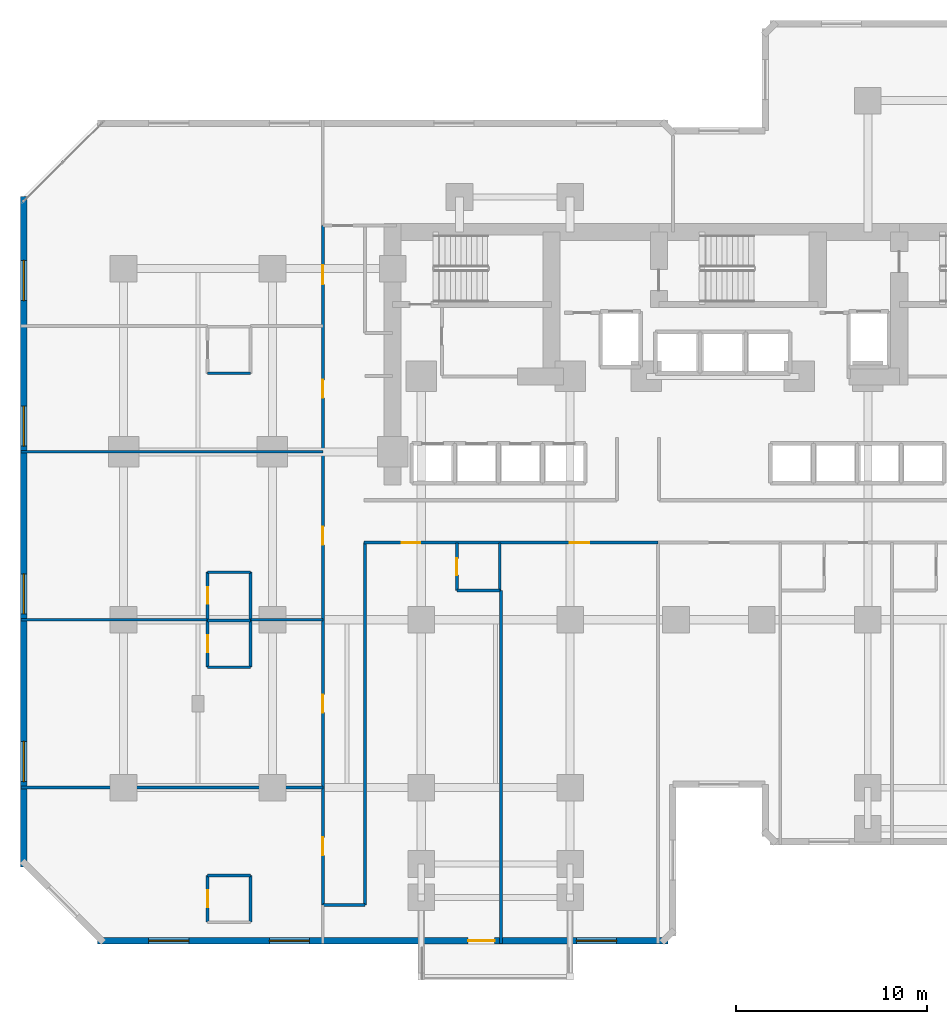
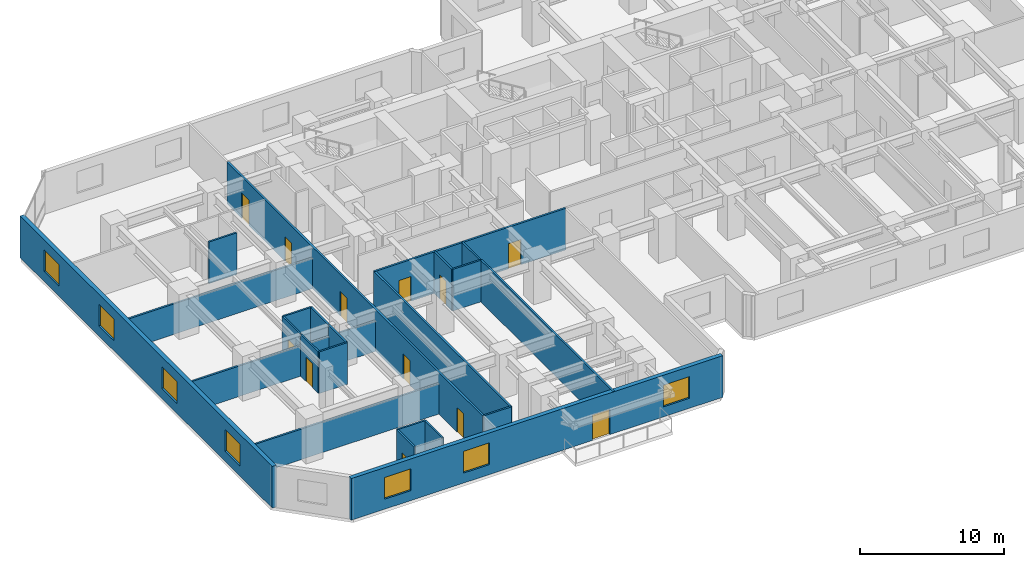
# One storey, part 5 of 12: 25 walls, 12 doors, 7 windows, 19 openings.
"""IFC4 building model written with IfcOpenShell, lengths in metres."""

from ifc_helpers import new_model, si_unit, direction, frame, frame_2d, origin, place, context, subcontext, project, spatial, rectangle, extrude, material, layer, layer_set, type_object, element, fill, save


model = new_model("IFC4")

# Units and contexts
model_context = context("Model", 3, precision=1e-05, world=origin(), true_north=direction((0.0, 1.0)))
body_context = subcontext(model_context, "Body", "Model", "MODEL_VIEW")
ifc_project = project(units=[si_unit("LENGTHUNIT", "METRE"), si_unit("AREAUNIT", "SQUARE_METRE"), si_unit("VOLUMEUNIT", "CUBIC_METRE"), si_unit("PLANEANGLEUNIT", "RADIAN"), si_unit("MASSUNIT", "GRAM", prefix="KILO")], contexts=[model_context])

# Site, building, storey
site_placement = place(None, origin())
site = spatial("IfcSite", under=ifc_project, at=site_placement, CompositionType="ELEMENT")
building_placement = place(site_placement, origin())
building = spatial("IfcBuilding", under=site, at=building_placement, Name="Kestravale Grand Hotel", CompositionType="ELEMENT")
storey_placement = place(building_placement, frame((0.0, 0.0, 60.199951171875)))
storey = spatial("IfcBuildingStorey", under=building, at=storey_placement, Name="L14", CompositionType="ELEMENT", Elevation=60.199951171875)

# Wall, openings, door, windows
ifc_material_1 = material(Name="Precast concrete f'c 45 MPa", Category="concrete")
ifc_layer_1 = layer(ifc_material_1, 0.340087890625)
ifc_layer_set_1 = layer_set([ifc_layer_1], Name="EW-PREC-340")
wall_type_1 = type_object("IfcWallType", Name="EW-PREC-340", PredefinedType="SOLIDWALL", material=ifc_layer_set_1)
wall_1_placement = place(storey_placement, frame((6.429931640625, 3.169921875, 0.0), z_axis=(0.0, 0.0, 1.0), x_axis=(1.0, 0.0, 0.0)))
wall_1 = element("IfcWall", 1, at=wall_1_placement, inside=storey, type_object=wall_type_1, Name="L14 fluted precast facade wall 1", PredefinedType="SOLIDWALL", context=body_context, shape_type="SweptSolid", body=[
    extrude(rectangle(XDim=29.89013671875, YDim=0.340087890625, at=frame_2d((14.945068359375, 0.0))), origin(), (0.0, 0.0, 1.0), 3.5400390625),
])
opening_1_placement = place(wall_1_placement, frame((19.419921875, 0.0, 0.0)))
opening_1 = element("IfcOpeningElement", 2, at=opening_1_placement, cuts=wall_1, Name="Opening D-TERR-1400", PredefinedType="OPENING", context=body_context, shape_type="SweptSolid", body=[
    extrude(rectangle(XDim=1.39990234375, YDim=2.14990234375, at=frame_2d((0.699951171875, 1.074951171875))), frame((0.0, 0.179931640625, 0.0), z_axis=(0.0, -1.0, 0.0), x_axis=(1.0, 0.0, 0.0)), (0.0, 0.0, 1.0), 0.360107421875),
])
opening_2_placement = place(wall_1_placement, frame((2.686279296875, 0.0, 0.85009765625)))
opening_2 = element("IfcOpeningElement", 3, at=opening_2_placement, cuts=wall_1, Name="Opening W-GUEST-2100", PredefinedType="OPENING", context=body_context, shape_type="SweptSolid", body=[
    extrude(rectangle(XDim=2.10009765625, YDim=1.85009765625, at=frame_2d((1.050048828125, 0.925048828125))), frame((0.0, 0.179931640625, 0.0), z_axis=(0.0, -1.0, 0.0), x_axis=(1.0, 0.0, 0.0)), (0.0, 0.0, 1.0), 0.360107421875),
])
opening_3_placement = place(wall_1_placement, frame((9.0087890625, 0.0, 0.85009765625)))
opening_3 = element("IfcOpeningElement", 4, at=opening_3_placement, cuts=wall_1, Name="Opening W-GUEST-2100", PredefinedType="OPENING", context=body_context, shape_type="SweptSolid", body=[
    extrude(rectangle(XDim=2.10009765625, YDim=1.85009765625, at=frame_2d((1.050048828125, 0.925048828125))), frame((0.0, 0.179931640625, 0.0), z_axis=(0.0, -1.0, 0.0), x_axis=(1.0, 0.0, 0.0)), (0.0, 0.0, 1.0), 0.360107421875),
])
opening_4_placement = place(wall_1_placement, frame((25.103759765625, 0.0, 0.85009765625)))
opening_4 = element("IfcOpeningElement", 5, at=opening_4_placement, cuts=wall_1, Name="Opening W-GUEST-2100", PredefinedType="OPENING", context=body_context, shape_type="SweptSolid", body=[
    extrude(rectangle(XDim=2.10009765625, YDim=1.85009765625, at=frame_2d((1.050048828125, 0.925048828125))), frame((0.0, 0.179931640625, 0.0), z_axis=(0.0, -1.0, 0.0), x_axis=(1.0, 0.0, 0.0)), (0.0, 0.0, 1.0), 0.360107421875),
])
ifc_material_2 = material(Name="Insulated glazed champagne-bronze aluminium door", Category="aluminium")
door_type_1 = type_object("IfcDoorType", Name="D-TERR-1400", OperationType="NOTDEFINED", PredefinedType="DOOR", material=ifc_material_2)
door_1_placement = place(opening_1_placement, origin())
door_1 = element("IfcDoor", 6, at=door_1_placement, inside=storey, type_object=door_type_1, Name="L14 outdoor garden terrace door", OperationType="DOUBLE_DOOR_SINGLE_SWING", OverallHeight=2.14990234375, OverallWidth=1.39990234375, PredefinedType="DOOR", context=body_context, shape_type="SweptSolid", body=[
    extrude(rectangle(XDim=1.39990234375, YDim=2.14990234375, at=frame_2d((0.699951171875, 1.074951171875))), frame((0.0, 0.02490234375, 0.0), z_axis=(0.0, -1.0, 0.0), x_axis=(1.0, 0.0, 0.0)), (0.0, 0.0, 1.0), 0.050048828125),
])
fill(opening_1, door_1)
ifc_material_3 = material(Name="Insulated low-E double glazing in aluminium frame", Category="aluminium")
window_type = type_object("IfcWindowType", Name="W-GUEST-2100", PartitioningType="DOUBLE_PANEL_VERTICAL", PredefinedType="WINDOW", material=ifc_material_3)
window_1_placement = place(opening_2_placement, origin())
window_1 = element("IfcWindow", 7, at=window_1_placement, inside=storey, type_object=window_type, Name="L14 exterior window 1.1", OverallHeight=1.85009765625, OverallWidth=2.10009765625, PartitioningType="SINGLE_PANEL", PredefinedType="WINDOW", context=body_context, shape_type="SweptSolid", body=[
    extrude(rectangle(XDim=2.10009765625, YDim=1.85009765625, at=frame_2d((1.050048828125, 0.925048828125))), frame((0.0, 0.030029296875, 0.0), z_axis=(0.0, -1.0, 0.0), x_axis=(1.0, 0.0, 0.0)), (0.0, 0.0, 1.0), 0.06005859375),
])
fill(opening_2, window_1)
window_2_placement = place(opening_3_placement, origin())
window_2 = element("IfcWindow", 8, at=window_2_placement, inside=storey, type_object=window_type, Name="L14 exterior window 1.2", OverallHeight=1.85009765625, OverallWidth=2.10009765625, PartitioningType="SINGLE_PANEL", PredefinedType="WINDOW", context=body_context, shape_type="SweptSolid", body=[
    extrude(rectangle(XDim=2.10009765625, YDim=1.85009765625, at=frame_2d((1.050048828125, 0.925048828125))), frame((0.0, 0.030029296875, 0.0), z_axis=(0.0, -1.0, 0.0), x_axis=(1.0, 0.0, 0.0)), (0.0, 0.0, 1.0), 0.06005859375),
])
fill(opening_3, window_2)
window_3_placement = place(opening_4_placement, origin())
window_3 = element("IfcWindow", 9, at=window_3_placement, inside=storey, type_object=window_type, Name="L14 exterior window 1.3", OverallHeight=1.85009765625, OverallWidth=2.10009765625, PartitioningType="SINGLE_PANEL", PredefinedType="WINDOW", context=body_context, shape_type="SweptSolid", body=[
    extrude(rectangle(XDim=2.10009765625, YDim=1.85009765625, at=frame_2d((1.050048828125, 0.925048828125))), frame((0.0, 0.030029296875, 0.0), z_axis=(0.0, -1.0, 0.0), x_axis=(1.0, 0.0, 0.0)), (0.0, 0.0, 1.0), 0.06005859375),
])
fill(opening_4, window_3)

# Wall, openings, windows
wall_2_placement = place(storey_placement, frame((2.570068359375, 42.169921875, 0.0), z_axis=(0.0, 0.0, 1.0), x_axis=(0.0, -1.0, 0.0)))
wall_2 = element("IfcWall", 10, at=wall_2_placement, inside=storey, type_object=wall_type_1, Name="L14 fluted precast facade wall 19", PredefinedType="SOLIDWALL", context=body_context, shape_type="SweptSolid", body=[
    extrude(rectangle(XDim=35.139892578125, YDim=0.340087890625, at=frame_2d((17.56982421875, 0.0))), origin(), (0.0, 0.0, 1.0), 3.5400390625),
])
opening_5_placement = place(wall_2_placement, frame((3.342529296875, 0.0, 0.85009765625)))
opening_5 = element("IfcOpeningElement", 11, at=opening_5_placement, cuts=wall_2, Name="Opening W-GUEST-2100", PredefinedType="OPENING", context=body_context, shape_type="SweptSolid", body=[
    extrude(rectangle(XDim=2.10009765625, YDim=1.85009765625, at=frame_2d((1.050048828125, 0.925048828125))), frame((0.0, 0.179931640625, 0.0), z_axis=(0.0, -1.0, 0.0), x_axis=(1.0, 0.0, 0.0)), (0.0, 0.0, 1.0), 0.360107421875),
])
opening_6_placement = place(wall_2_placement, frame((10.9775390625, 0.0, 0.85009765625)))
opening_6 = element("IfcOpeningElement", 12, at=opening_6_placement, cuts=wall_2, Name="Opening W-GUEST-2100", PredefinedType="OPENING", context=body_context, shape_type="SweptSolid", body=[
    extrude(rectangle(XDim=2.10009765625, YDim=1.85009765625, at=frame_2d((1.050048828125, 0.925048828125))), frame((0.0, 0.179931640625, 0.0), z_axis=(0.0, -1.0, 0.0), x_axis=(1.0, 0.0, 0.0)), (0.0, 0.0, 1.0), 0.360107421875),
])
opening_7_placement = place(wall_2_placement, frame((19.762451171875, 0.0, 0.85009765625)))
opening_7 = element("IfcOpeningElement", 13, at=opening_7_placement, cuts=wall_2, Name="Opening W-GUEST-2100", PredefinedType="OPENING", context=body_context, shape_type="SweptSolid", body=[
    extrude(rectangle(XDim=2.10009765625, YDim=1.85009765625, at=frame_2d((1.050048828125, 0.925048828125))), frame((0.0, 0.179931640625, 0.0), z_axis=(0.0, -1.0, 0.0), x_axis=(1.0, 0.0, 0.0)), (0.0, 0.0, 1.0), 0.360107421875),
])
opening_8_placement = place(wall_2_placement, frame((28.547607421875, 0.0, 0.85009765625)))
opening_8 = element("IfcOpeningElement", 14, at=opening_8_placement, cuts=wall_2, Name="Opening W-GUEST-2100", PredefinedType="OPENING", context=body_context, shape_type="SweptSolid", body=[
    extrude(rectangle(XDim=2.10009765625, YDim=1.85009765625, at=frame_2d((1.050048828125, 0.925048828125))), frame((0.0, 0.179931640625, 0.0), z_axis=(0.0, -1.0, 0.0), x_axis=(1.0, 0.0, 0.0)), (0.0, 0.0, 1.0), 0.360107421875),
])
window_4_placement = place(opening_5_placement, origin())
window_4 = element("IfcWindow", 15, at=window_4_placement, inside=storey, type_object=window_type, Name="L14 exterior window 19.1", OverallHeight=1.85009765625, OverallWidth=2.10009765625, PartitioningType="SINGLE_PANEL", PredefinedType="WINDOW", context=body_context, shape_type="SweptSolid", body=[
    extrude(rectangle(XDim=2.10009765625, YDim=1.85009765625, at=frame_2d((1.050048828125, 0.925048828125))), frame((0.0, 0.030029296875, 0.0), z_axis=(0.0, -1.0, 0.0), x_axis=(1.0, 0.0, 0.0)), (0.0, 0.0, 1.0), 0.06005859375),
])
fill(opening_5, window_4)
window_5_placement = place(opening_6_placement, origin())
window_5 = element("IfcWindow", 16, at=window_5_placement, inside=storey, type_object=window_type, Name="L14 exterior window 19.2", OverallHeight=1.85009765625, OverallWidth=2.10009765625, PartitioningType="SINGLE_PANEL", PredefinedType="WINDOW", context=body_context, shape_type="SweptSolid", body=[
    extrude(rectangle(XDim=2.10009765625, YDim=1.85009765625, at=frame_2d((1.050048828125, 0.925048828125))), frame((0.0, 0.030029296875, 0.0), z_axis=(0.0, -1.0, 0.0), x_axis=(1.0, 0.0, 0.0)), (0.0, 0.0, 1.0), 0.06005859375),
])
fill(opening_6, window_5)
window_6_placement = place(opening_7_placement, origin())
window_6 = element("IfcWindow", 17, at=window_6_placement, inside=storey, type_object=window_type, Name="L14 exterior window 19.3", OverallHeight=1.85009765625, OverallWidth=2.10009765625, PartitioningType="SINGLE_PANEL", PredefinedType="WINDOW", context=body_context, shape_type="SweptSolid", body=[
    extrude(rectangle(XDim=2.10009765625, YDim=1.85009765625, at=frame_2d((1.050048828125, 0.925048828125))), frame((0.0, 0.030029296875, 0.0), z_axis=(0.0, -1.0, 0.0), x_axis=(1.0, 0.0, 0.0)), (0.0, 0.0, 1.0), 0.06005859375),
])
fill(opening_7, window_6)
window_7_placement = place(opening_8_placement, origin())
window_7 = element("IfcWindow", 18, at=window_7_placement, inside=storey, type_object=window_type, Name="L14 exterior window 19.4", OverallHeight=1.85009765625, OverallWidth=2.10009765625, PartitioningType="SINGLE_PANEL", PredefinedType="WINDOW", context=body_context, shape_type="SweptSolid", body=[
    extrude(rectangle(XDim=2.10009765625, YDim=1.85009765625, at=frame_2d((1.050048828125, 0.925048828125))), frame((0.0, 0.030029296875, 0.0), z_axis=(0.0, -1.0, 0.0), x_axis=(1.0, 0.0, 0.0)), (0.0, 0.0, 1.0), 0.06005859375),
])
fill(opening_8, window_7)

# Wall, openings, doors
ifc_material_4 = material(Name="Acoustic fire-rated gypsum board partition", Category="other")
ifc_layer_2 = layer(ifc_material_4, 0.159912109375)
ifc_layer_set_2 = layer_set([ifc_layer_2], Name="IW-CORR-160")
wall_type_2 = type_object("IfcWallType", Name="IW-CORR-160", PredefinedType="PARTITIONING", material=ifc_layer_set_2)
wall_3_placement = place(storey_placement, frame((20.39990234375, 24.0400390625, 0.0), z_axis=(0.0, 0.0, 1.0), x_axis=(1.0, 0.0, 0.0)))
wall_3 = element("IfcWall", 19, at=wall_3_placement, inside=storey, type_object=wall_type_2, Name="W-L14-CW-S", PredefinedType="PARTITIONING", context=body_context, shape_type="SweptSolid", body=[
    extrude(rectangle(XDim=15.400146484375, YDim=0.159912109375, at=frame_2d((7.7001953125, 0.0))), origin(), (0.0, 0.0, 1.0), 3.5400390625),
])
opening_9_placement = place(wall_3_placement, frame((1.989990234375, 0.0, 0.0)))
opening_9 = element("IfcOpeningElement", 20, at=opening_9_placement, cuts=wall_3, Name="Opening D-GUEST-950", PredefinedType="OPENING", context=body_context, shape_type="SweptSolid", body=[
    extrude(rectangle(XDim=0.949951171875, YDim=2.10009765625, at=frame_2d((0.47509765625, 1.050048828125))), frame((0.0, 0.08984375, 0.0), z_axis=(0.0, -1.0, 0.0), x_axis=(1.0, 0.0, 0.0)), (0.0, 0.0, 1.0), 0.179931640625),
])
opening_10_placement = place(wall_3_placement, frame((10.7900390625, 0.0, 0.0)))
opening_10 = element("IfcOpeningElement", 21, at=opening_10_placement, cuts=wall_3, Name="Opening D-GUEST-1000", PredefinedType="OPENING", context=body_context, shape_type="SweptSolid", body=[
    extrude(rectangle(XDim=1.0, YDim=2.14990234375, at=frame_2d((0.5, 1.074951171875))), frame((0.0, 0.08984375, 0.0), z_axis=(0.0, -1.0, 0.0), x_axis=(1.0, 0.0, 0.0)), (0.0, 0.0, 1.0), 0.179931640625),
])
ifc_material_5 = material(Name="Accessible walnut veneer hotel entrance fire door", Category="wood")
door_type_2 = type_object("IfcDoorType", Name="D-GUEST-1000", OperationType="NOTDEFINED", PredefinedType="DOOR", material=ifc_material_5)
door_2_placement = place(opening_10_placement, origin())
door_2 = element("IfcDoor", 22, at=door_2_placement, inside=storey, type_object=door_type_2, Name="D-L14-AMW", OperationType="SINGLE_SWING_RIGHT", OverallHeight=2.14990234375, OverallWidth=1.0, PredefinedType="DOOR", context=body_context, shape_type="SweptSolid", body=[
    extrude(rectangle(XDim=1.0, YDim=2.14990234375, at=frame_2d((0.5, 1.074951171875))), frame((0.0, 0.02490234375, 0.0), z_axis=(0.0, -1.0, 0.0), x_axis=(1.0, 0.0, 0.0)), (0.0, 0.0, 1.0), 0.050048828125),
])
fill(opening_10, door_2)
ifc_material_6 = material(Name="Walnut veneer hotel guestroom entrance fire door", Category="wood")
door_type_3 = type_object("IfcDoorType", Name="D-GUEST-950", OperationType="NOTDEFINED", PredefinedType="DOOR", material=ifc_material_6)
door_3_placement = place(opening_9_placement, origin())
door_3 = element("IfcDoor", 23, at=door_3_placement, inside=storey, type_object=door_type_3, Name="D-L14-U01-ENT", OperationType="SINGLE_SWING_LEFT", OverallHeight=2.10009765625, OverallWidth=0.949951171875, PredefinedType="DOOR", context=body_context, shape_type="SweptSolid", body=[
    extrude(rectangle(XDim=0.949951171875, YDim=2.10009765625, at=frame_2d((0.47509765625, 1.050048828125))), frame((0.0, 0.02490234375, 0.0), z_axis=(0.0, -1.0, 0.0), x_axis=(1.0, 0.0, 0.0)), (0.0, 0.0, 1.0), 0.050048828125),
])
fill(opening_9, door_3)

wall_4_placement = place(storey_placement, frame((18.239990234375, 5.050048828125, 0.0), z_axis=(0.0, 0.0, 1.0), x_axis=(0.0, 1.0, 0.0)))
wall_4 = element("IfcWall", 24, at=wall_4_placement, inside=storey, type_object=wall_type_2, Name="W-L14-SW-W", PredefinedType="PARTITIONING", context=body_context, shape_type="SweptSolid", body=[
    extrude(rectangle(XDim=35.599853515625, YDim=0.159912109375, at=frame_2d((17.7998046875, 0.0))), origin(), (0.0, 0.0, 1.0), 3.5400390625),
])
opening_11_placement = place(wall_4_placement, frame((2.60009765625, 0.0, 0.0)))
opening_11 = element("IfcOpeningElement", 25, at=opening_11_placement, cuts=wall_4, Name="Opening D-GUEST-950", PredefinedType="OPENING", context=body_context, shape_type="SweptSolid", body=[
    extrude(rectangle(XDim=0.949951171875, YDim=2.10009765625, at=frame_2d((0.47509765625, 1.050048828125))), frame((0.0, 0.08984375, 0.0), z_axis=(0.0, -1.0, 0.0), x_axis=(1.0, 0.0, 0.0)), (0.0, 0.0, 1.0), 0.179931640625),
])
opening_12_placement = place(wall_4_placement, frame((10.074951171875, 0.0, 0.0)))
opening_12 = element("IfcOpeningElement", 26, at=opening_12_placement, cuts=wall_4, Name="Opening D-GUEST-950", PredefinedType="OPENING", context=body_context, shape_type="SweptSolid", body=[
    extrude(rectangle(XDim=0.949951171875, YDim=2.10009765625, at=frame_2d((0.47509765625, 1.050048828125))), frame((0.0, 0.08984375, 0.0), z_axis=(0.0, -1.0, 0.0), x_axis=(1.0, 0.0, 0.0)), (0.0, 0.0, 1.0), 0.179931640625),
])
opening_13_placement = place(wall_4_placement, frame((18.875, 0.0, 0.0)))
opening_13 = element("IfcOpeningElement", 27, at=opening_13_placement, cuts=wall_4, Name="Opening D-GUEST-950", PredefinedType="OPENING", context=body_context, shape_type="SweptSolid", body=[
    extrude(rectangle(XDim=0.949951171875, YDim=2.10009765625, at=frame_2d((0.47509765625, 1.050048828125))), frame((0.0, 0.08984375, 0.0), z_axis=(0.0, -1.0, 0.0), x_axis=(1.0, 0.0, 0.0)), (0.0, 0.0, 1.0), 0.179931640625),
])
opening_14_placement = place(wall_4_placement, frame((26.574951171875, 0.0, 0.0)))
opening_14 = element("IfcOpeningElement", 28, at=opening_14_placement, cuts=wall_4, Name="Opening D-GUEST-950", PredefinedType="OPENING", context=body_context, shape_type="SweptSolid", body=[
    extrude(rectangle(XDim=0.949951171875, YDim=2.10009765625, at=frame_2d((0.47509765625, 1.050048828125))), frame((0.0, 0.08984375, 0.0), z_axis=(0.0, -1.0, 0.0), x_axis=(1.0, 0.0, 0.0)), (0.0, 0.0, 1.0), 0.179931640625),
])
opening_15_placement = place(wall_4_placement, frame((32.530029296875, 0.0, 0.0)))
opening_15 = element("IfcOpeningElement", 29, at=opening_15_placement, cuts=wall_4, Name="Opening D-GUEST-1000", PredefinedType="OPENING", context=body_context, shape_type="SweptSolid", body=[
    extrude(rectangle(XDim=1.0, YDim=2.14990234375, at=frame_2d((0.5, 1.074951171875))), frame((0.0, 0.08984375, 0.0), z_axis=(0.0, -1.0, 0.0), x_axis=(1.0, 0.0, 0.0)), (0.0, 0.0, 1.0), 0.179931640625),
])
door_4_placement = place(opening_15_placement, origin())
door_4 = element("IfcDoor", 30, at=door_4_placement, inside=storey, type_object=door_type_2, Name="D-L14-AMWW", OperationType="SINGLE_SWING_RIGHT", OverallHeight=2.14990234375, OverallWidth=1.0, PredefinedType="DOOR", context=body_context, shape_type="SweptSolid", body=[
    extrude(rectangle(XDim=1.0, YDim=2.14990234375, at=frame_2d((0.5, 1.074951171875))), frame((0.0, 0.02490234375, 0.0), z_axis=(0.0, -1.0, 0.0), x_axis=(1.0, 0.0, 0.0)), (0.0, 0.0, 1.0), 0.050048828125),
])
fill(opening_15, door_4)
door_5_placement = place(opening_11_placement, origin())
door_5 = element("IfcDoor", 31, at=door_5_placement, inside=storey, type_object=door_type_3, Name="D-L14-U05-ENT", OperationType="SINGLE_SWING_LEFT", OverallHeight=2.10009765625, OverallWidth=0.949951171875, PredefinedType="DOOR", context=body_context, shape_type="SweptSolid", body=[
    extrude(rectangle(XDim=0.949951171875, YDim=2.10009765625, at=frame_2d((0.47509765625, 1.050048828125))), frame((0.0, 0.02490234375, 0.0), z_axis=(0.0, -1.0, 0.0), x_axis=(1.0, 0.0, 0.0)), (0.0, 0.0, 1.0), 0.050048828125),
])
fill(opening_11, door_5)
door_6_placement = place(opening_12_placement, origin())
door_6 = element("IfcDoor", 32, at=door_6_placement, inside=storey, type_object=door_type_3, Name="D-L14-U06-ENT", OperationType="SINGLE_SWING_LEFT", OverallHeight=2.10009765625, OverallWidth=0.949951171875, PredefinedType="DOOR", context=body_context, shape_type="SweptSolid", body=[
    extrude(rectangle(XDim=0.949951171875, YDim=2.10009765625, at=frame_2d((0.47509765625, 1.050048828125))), frame((0.0, 0.02490234375, 0.0), z_axis=(0.0, -1.0, 0.0), x_axis=(1.0, 0.0, 0.0)), (0.0, 0.0, 1.0), 0.050048828125),
])
fill(opening_12, door_6)
door_7_placement = place(opening_13_placement, origin())
door_7 = element("IfcDoor", 33, at=door_7_placement, inside=storey, type_object=door_type_3, Name="D-L14-U07-ENT", OperationType="SINGLE_SWING_LEFT", OverallHeight=2.10009765625, OverallWidth=0.949951171875, PredefinedType="DOOR", context=body_context, shape_type="SweptSolid", body=[
    extrude(rectangle(XDim=0.949951171875, YDim=2.10009765625, at=frame_2d((0.47509765625, 1.050048828125))), frame((0.0, 0.02490234375, 0.0), z_axis=(0.0, -1.0, 0.0), x_axis=(1.0, 0.0, 0.0)), (0.0, 0.0, 1.0), 0.050048828125),
])
fill(opening_13, door_7)
door_8_placement = place(opening_14_placement, origin())
door_8 = element("IfcDoor", 34, at=door_8_placement, inside=storey, type_object=door_type_3, Name="D-L14-U08-ENT", OperationType="SINGLE_SWING_LEFT", OverallHeight=2.10009765625, OverallWidth=0.949951171875, PredefinedType="DOOR", context=body_context, shape_type="SweptSolid", body=[
    extrude(rectangle(XDim=0.949951171875, YDim=2.10009765625, at=frame_2d((0.47509765625, 1.050048828125))), frame((0.0, 0.02490234375, 0.0), z_axis=(0.0, -1.0, 0.0), x_axis=(1.0, 0.0, 0.0)), (0.0, 0.0, 1.0), 0.050048828125),
])
fill(opening_14, door_8)

# Wall
wall_5_placement = place(storey_placement, frame((20.4599609375, 5.050048828125, 0.0), z_axis=(0.0, 0.0, 1.0), x_axis=(0.0, 1.0, 0.0)))
element("IfcWall", 35, at=wall_5_placement, inside=storey, type_object=wall_type_2, Name="W-L14-SW-E", PredefinedType="PARTITIONING", context=body_context, shape_type="SweptSolid", body=[
    extrude(rectangle(XDim=18.989990234375, YDim=0.159912109375, at=frame_2d((9.4951171875, 0.0))), origin(), (0.0, 0.0, 1.0), 3.5400390625),
])

# Wall, opening, door
ifc_material_7 = material(Name="Moisture-resistant tile-backer plumbing chase wall", Category="other")
ifc_layer_3 = layer(ifc_material_7, 0.139892578125)
ifc_layer_set_3 = layer_set([ifc_layer_3], Name="IW-PLB-140")
wall_type_3 = type_object("IfcWallType", Name="IW-PLB-140", PredefinedType="PLUMBINGWALL", material=ifc_layer_set_3)
wall_6_placement = place(storey_placement, frame((25.27001953125, 21.530029296875, 0.0), z_axis=(0.0, 0.0, 1.0), x_axis=(0.0, 1.0, 0.0)))
wall_6 = element("IfcWall", 36, at=wall_6_placement, inside=storey, type_object=wall_type_3, Name="W-L14-U01-BW", PredefinedType="PLUMBINGWALL", context=body_context, shape_type="SweptSolid", body=[
    extrude(rectangle(XDim=2.489990234375, YDim=0.139892578125, at=frame_2d((1.2451171875, 0.0))), origin(), (0.0, 0.0, 1.0), 3.5400390625),
])
opening_16_placement = place(wall_6_placement, frame((0.804931640625, 0.0, 0.0)))
opening_16 = element("IfcOpeningElement", 37, at=opening_16_placement, cuts=wall_6, Name="Opening D-BATH-880", PredefinedType="OPENING", context=body_context, shape_type="SweptSolid", body=[
    extrude(rectangle(XDim=0.8798828125, YDim=2.050048828125, at=frame_2d((0.43994140625, 1.02490234375))), frame((0.0, 0.079833984375, 0.0), z_axis=(0.0, -1.0, 0.0), x_axis=(1.0, 0.0, 0.0)), (0.0, 0.0, 1.0), 0.159912109375),
])
ifc_material_8 = material(Name="Moisture-sealed walnut en-suite bathroom door", Category="wood")
door_type_4 = type_object("IfcDoorType", Name="D-BATH-880", OperationType="NOTDEFINED", PredefinedType="DOOR", material=ifc_material_8)
door_9_placement = place(opening_16_placement, origin())
door_9 = element("IfcDoor", 38, at=door_9_placement, inside=storey, type_object=door_type_4, Name="D-L14-U01-BATH", OperationType="SINGLE_SWING_RIGHT", OverallHeight=2.050048828125, OverallWidth=0.8798828125, PredefinedType="DOOR", context=body_context, shape_type="SweptSolid", body=[
    extrude(rectangle(XDim=0.8798828125, YDim=2.050048828125, at=frame_2d((0.43994140625, 1.02490234375))), frame((0.0, 0.02490234375, 0.0), z_axis=(0.0, -1.0, 0.0), x_axis=(1.0, 0.0, 0.0)), (0.0, 0.0, 1.0), 0.050048828125),
])
fill(opening_16, door_9)

# Walls
wall_7_placement = place(storey_placement, frame((27.52001953125, 21.530029296875, 0.0), z_axis=(0.0, 0.0, 1.0), x_axis=(0.0, 1.0, 0.0)))
element("IfcWall", 39, at=wall_7_placement, inside=storey, type_object=wall_type_3, Name="W-L14-U01-BE", PredefinedType="PLUMBINGWALL", context=body_context, shape_type="SweptSolid", body=[
    extrude(rectangle(XDim=2.489990234375, YDim=0.139892578125, at=frame_2d((1.2451171875, 0.0))), origin(), (0.0, 0.0, 1.0), 3.5400390625),
])
wall_8_placement = place(storey_placement, frame((25.27001953125, 21.530029296875, 0.0), z_axis=(0.0, 0.0, 1.0), x_axis=(1.0, 0.0, 0.0)))
element("IfcWall", 40, at=wall_8_placement, inside=storey, type_object=wall_type_3, Name="W-L14-U01-BS", PredefinedType="PLUMBINGWALL", context=body_context, shape_type="SweptSolid", body=[
    extrude(rectangle(XDim=2.25, YDim=0.139892578125, at=frame_2d((1.125, 0.0))), origin(), (0.0, 0.0, 1.0), 3.5400390625),
])

# Wall, opening, door
wall_9_placement = place(storey_placement, frame((12.199951171875, 4.14990234375, 0.0), z_axis=(0.0, 0.0, 1.0), x_axis=(0.0, 1.0, 0.0)))
wall_9 = element("IfcWall", 41, at=wall_9_placement, inside=storey, type_object=wall_type_3, Name="W-L14-U05-BW", PredefinedType="PLUMBINGWALL", context=body_context, shape_type="SweptSolid", body=[
    extrude(rectangle(XDim=2.4501953125, YDim=0.139892578125, at=frame_2d((1.22509765625, 0.0))), origin(), (0.0, 0.0, 1.0), 3.5400390625),
])
opening_17_placement = place(wall_9_placement, frame((0.784912109375, 0.0, 0.0)))
opening_17 = element("IfcOpeningElement", 42, at=opening_17_placement, cuts=wall_9, Name="Opening D-BATH-880", PredefinedType="OPENING", context=body_context, shape_type="SweptSolid", body=[
    extrude(rectangle(XDim=0.8798828125, YDim=2.050048828125, at=frame_2d((0.43994140625, 1.02490234375))), frame((0.0, 0.079833984375, 0.0), z_axis=(0.0, -1.0, 0.0), x_axis=(1.0, 0.0, 0.0)), (0.0, 0.0, 1.0), 0.159912109375),
])
door_10_placement = place(opening_17_placement, origin())
door_10 = element("IfcDoor", 43, at=door_10_placement, inside=storey, type_object=door_type_4, Name="D-L14-U05-BATH", OperationType="SINGLE_SWING_RIGHT", OverallHeight=2.050048828125, OverallWidth=0.8798828125, PredefinedType="DOOR", context=body_context, shape_type="SweptSolid", body=[
    extrude(rectangle(XDim=0.8798828125, YDim=2.050048828125, at=frame_2d((0.43994140625, 1.02490234375))), frame((0.0, 0.02490234375, 0.0), z_axis=(0.0, -1.0, 0.0), x_axis=(1.0, 0.0, 0.0)), (0.0, 0.0, 1.0), 0.050048828125),
])
fill(opening_17, door_10)

# Walls
wall_10_placement = place(storey_placement, frame((14.449951171875, 4.14990234375, 0.0), z_axis=(0.0, 0.0, 1.0), x_axis=(0.0, 1.0, 0.0)))
element("IfcWall", 44, at=wall_10_placement, inside=storey, type_object=wall_type_3, Name="W-L14-U05-BE", PredefinedType="PLUMBINGWALL", context=body_context, shape_type="SweptSolid", body=[
    extrude(rectangle(XDim=2.4501953125, YDim=0.139892578125, at=frame_2d((1.22509765625, 0.0))), origin(), (0.0, 0.0, 1.0), 3.5400390625),
])
wall_11_placement = place(storey_placement, frame((12.199951171875, 6.60009765625, 0.0), z_axis=(0.0, 0.0, 1.0), x_axis=(1.0, 0.0, 0.0)))
element("IfcWall", 45, at=wall_11_placement, inside=storey, type_object=wall_type_3, Name="W-L14-U05-BN", PredefinedType="PLUMBINGWALL", context=body_context, shape_type="SweptSolid", body=[
    extrude(rectangle(XDim=2.25, YDim=0.139892578125, at=frame_2d((1.125, 0.0))), origin(), (0.0, 0.0, 1.0), 3.5400390625),
])

# Wall, opening, door
wall_12_placement = place(storey_placement, frame((12.199951171875, 17.510009765625, 0.0), z_axis=(0.0, 0.0, 1.0), x_axis=(0.0, 1.0, 0.0)))
wall_12 = element("IfcWall", 46, at=wall_12_placement, inside=storey, type_object=wall_type_3, Name="W-L14-U06-BW", PredefinedType="PLUMBINGWALL", context=body_context, shape_type="SweptSolid", body=[
    extrude(rectangle(XDim=2.449951171875, YDim=0.139892578125, at=frame_2d((1.22509765625, 0.0))), origin(), (0.0, 0.0, 1.0), 3.5400390625),
])
opening_18_placement = place(wall_12_placement, frame((0.784912109375, 0.0, 0.0)))
opening_18 = element("IfcOpeningElement", 47, at=opening_18_placement, cuts=wall_12, Name="Opening D-BATH-880", PredefinedType="OPENING", context=body_context, shape_type="SweptSolid", body=[
    extrude(rectangle(XDim=0.8798828125, YDim=2.050048828125, at=frame_2d((0.43994140625, 1.02490234375))), frame((0.0, 0.079833984375, 0.0), z_axis=(0.0, -1.0, 0.0), x_axis=(1.0, 0.0, 0.0)), (0.0, 0.0, 1.0), 0.159912109375),
])
door_11_placement = place(opening_18_placement, origin())
door_11 = element("IfcDoor", 48, at=door_11_placement, inside=storey, type_object=door_type_4, Name="D-L14-U06-BATH", OperationType="SINGLE_SWING_RIGHT", OverallHeight=2.050048828125, OverallWidth=0.8798828125, PredefinedType="DOOR", context=body_context, shape_type="SweptSolid", body=[
    extrude(rectangle(XDim=0.8798828125, YDim=2.050048828125, at=frame_2d((0.43994140625, 1.02490234375))), frame((0.0, 0.02490234375, 0.0), z_axis=(0.0, -1.0, 0.0), x_axis=(1.0, 0.0, 0.0)), (0.0, 0.0, 1.0), 0.050048828125),
])
fill(opening_18, door_11)

# Walls
wall_13_placement = place(storey_placement, frame((14.449951171875, 17.510009765625, 0.0), z_axis=(0.0, 0.0, 1.0), x_axis=(0.0, 1.0, 0.0)))
element("IfcWall", 49, at=wall_13_placement, inside=storey, type_object=wall_type_3, Name="W-L14-U06-BE", PredefinedType="PLUMBINGWALL", context=body_context, shape_type="SweptSolid", body=[
    extrude(rectangle(XDim=2.449951171875, YDim=0.139892578125, at=frame_2d((1.22509765625, 0.0))), origin(), (0.0, 0.0, 1.0), 3.5400390625),
])
wall_14_placement = place(storey_placement, frame((12.199951171875, 17.510009765625, 0.0), z_axis=(0.0, 0.0, 1.0), x_axis=(1.0, 0.0, 0.0)))
element("IfcWall", 50, at=wall_14_placement, inside=storey, type_object=wall_type_3, Name="W-L14-U06-BS", PredefinedType="PLUMBINGWALL", context=body_context, shape_type="SweptSolid", body=[
    extrude(rectangle(XDim=2.25, YDim=0.139892578125, at=frame_2d((1.125, 0.0))), origin(), (0.0, 0.0, 1.0), 3.5400390625),
])
wall_15_placement = place(storey_placement, frame((12.199951171875, 19.9599609375, 0.0), z_axis=(0.0, 0.0, 1.0), x_axis=(1.0, 0.0, 0.0)))
element("IfcWall", 51, at=wall_15_placement, inside=storey, type_object=wall_type_3, Name="W-L14-U06-BN", PredefinedType="PLUMBINGWALL", context=body_context, shape_type="SweptSolid", body=[
    extrude(rectangle(XDim=2.25, YDim=0.139892578125, at=frame_2d((1.125, 0.0))), origin(), (0.0, 0.0, 1.0), 2.593017578125),
])

# Wall, opening, door
wall_16_placement = place(storey_placement, frame((12.199951171875, 20.0400390625, 0.0), z_axis=(0.0, 0.0, 1.0), x_axis=(0.0, 1.0, 0.0)))
wall_16 = element("IfcWall", 52, at=wall_16_placement, inside=storey, type_object=wall_type_3, Name="W-L14-U07-BW", PredefinedType="PLUMBINGWALL", context=body_context, shape_type="SweptSolid", body=[
    extrude(rectangle(XDim=2.449951171875, YDim=0.139892578125, at=frame_2d((1.22509765625, 0.0))), origin(), (0.0, 0.0, 1.0), 3.5400390625),
])
opening_19_placement = place(wall_16_placement, frame((0.784912109375, 0.0, 0.0)))
opening_19 = element("IfcOpeningElement", 53, at=opening_19_placement, cuts=wall_16, Name="Opening D-BATH-880", PredefinedType="OPENING", context=body_context, shape_type="SweptSolid", body=[
    extrude(rectangle(XDim=0.8798828125, YDim=2.050048828125, at=frame_2d((0.43994140625, 1.02490234375))), frame((0.0, 0.079833984375, 0.0), z_axis=(0.0, -1.0, 0.0), x_axis=(1.0, 0.0, 0.0)), (0.0, 0.0, 1.0), 0.159912109375),
])
door_12_placement = place(opening_19_placement, origin())
door_12 = element("IfcDoor", 54, at=door_12_placement, inside=storey, type_object=door_type_4, Name="D-L14-U07-BATH", OperationType="SINGLE_SWING_RIGHT", OverallHeight=2.050048828125, OverallWidth=0.8798828125, PredefinedType="DOOR", context=body_context, shape_type="SweptSolid", body=[
    extrude(rectangle(XDim=0.8798828125, YDim=2.050048828125, at=frame_2d((0.43994140625, 1.02490234375))), frame((0.0, 0.02490234375, 0.0), z_axis=(0.0, -1.0, 0.0), x_axis=(1.0, 0.0, 0.0)), (0.0, 0.0, 1.0), 0.050048828125),
])
fill(opening_19, door_12)

# Walls
wall_17_placement = place(storey_placement, frame((14.449951171875, 20.0400390625, 0.0), z_axis=(0.0, 0.0, 1.0), x_axis=(0.0, 1.0, 0.0)))
element("IfcWall", 55, at=wall_17_placement, inside=storey, type_object=wall_type_3, Name="W-L14-U07-BE", PredefinedType="PLUMBINGWALL", context=body_context, shape_type="SweptSolid", body=[
    extrude(rectangle(XDim=2.449951171875, YDim=0.139892578125, at=frame_2d((1.22509765625, 0.0))), origin(), (0.0, 0.0, 1.0), 3.5400390625),
])
for number, where, z_axis, x_axis, name in (
    (56, (12.199951171875, 22.489990234375, 0.0), (0.0, 0.0, 1.0), (1.0, 0.0, 0.0), "W-L14-U07-BN"),
    (57, (12.199951171875, 32.909912109375, 0.0), (0.0, 0.0, 1.0), (1.0, 0.0, 0.0), "W-L14-U08-BS"),
):
    element("IfcWall", number, at=place(storey_placement, frame(where, z_axis=z_axis, x_axis=x_axis)), inside=storey, type_object=wall_type_3, Name=name, PredefinedType="PLUMBINGWALL", context=body_context, shape_type="SweptSolid", body=[
        extrude(rectangle(XDim=2.25, YDim=0.139892578125, at=frame_2d((1.125, 0.0))), origin(), (0.0, 0.0, 1.0), 3.5400390625),
    ])
ifc_material_9 = material(Name="Double-stud STC 52 acoustic demising partition", Category="other")
ifc_layer_4 = layer(ifc_material_9, 0.14990234375)
ifc_layer_set_4 = layer_set([ifc_layer_4], Name="IW-UNIT-150")
wall_type_4 = type_object("IfcWallType", Name="IW-UNIT-150", PredefinedType="PARTITIONING", material=ifc_layer_set_4)
wall_18_placement = place(storey_placement, frame((18.239990234375, 5.050048828125, 0.0), z_axis=(0.0, 0.0, 1.0), x_axis=(1.0, 0.0, 0.0)))
element("IfcWall", 58, at=wall_18_placement, inside=storey, type_object=wall_type_4, Name="W-L14-SW-S", PredefinedType="PARTITIONING", context=body_context, shape_type="SweptSolid", body=[
    extrude(rectangle(XDim=2.219970703125, YDim=0.14990234375, at=frame_2d((1.10986328125, 0.0))), origin(), (0.0, 0.0, 1.0), 3.5400390625),
])
wall_19_placement = place(storey_placement, frame((27.580078125, 3.02001953125, 0.0), z_axis=(0.0, 0.0, 1.0), x_axis=(0.0, 1.0, 0.0)))
element("IfcWall", 59, at=wall_19_placement, inside=storey, type_object=wall_type_4, Name="W-L14-WS-1", PredefinedType="PARTITIONING", context=body_context, shape_type="SweptSolid", body=[
    extrude(rectangle(XDim=18.510009765625, YDim=0.14990234375, at=frame_2d((9.2548828125, 0.0))), origin(), (0.0, 0.0, 1.0), 3.5400390625),
])
wall_20_placement = place(storey_placement, frame((2.419921875, 11.199951171875, 0.0), z_axis=(0.0, 0.0, 1.0), x_axis=(1.0, 0.0, 0.0)))
element("IfcWall", 60, at=wall_20_placement, inside=storey, type_object=wall_type_4, Name="W-L14-WW-1", PredefinedType="PARTITIONING", context=body_context, shape_type="SweptSolid", body=[
    extrude(rectangle(XDim=15.820068359375, YDim=0.14990234375, at=frame_2d((7.91015625, 0.0))), origin(), (0.0, 0.0, 1.0), 2.593017578125),
])
wall_21_placement = place(storey_placement, frame((2.419921875, 20.0, 0.0), z_axis=(0.0, 0.0, 1.0), x_axis=(1.0, 0.0, 0.0)))
element("IfcWall", 61, at=wall_21_placement, inside=storey, type_object=wall_type_4, Name="W-L14-WW-2", PredefinedType="PARTITIONING", context=body_context, shape_type="SweptSolid", body=[
    extrude(rectangle(XDim=9.780029296875, YDim=0.14990234375, at=frame_2d((4.89013671875, 0.0))), origin(), (0.0, 0.0, 1.0), 2.593017578125),
])
wall_22_placement = place(storey_placement, frame((14.449951171875, 20.0, 0.0), z_axis=(0.0, 0.0, 1.0), x_axis=(1.0, 0.0, 0.0)))
element("IfcWall", 62, at=wall_22_placement, inside=storey, type_object=wall_type_4, Name="W-L14-WW-2", PredefinedType="PARTITIONING", context=body_context, shape_type="SweptSolid", body=[
    extrude(rectangle(XDim=3.7900390625, YDim=0.14990234375, at=frame_2d((1.89501953125, 0.0))), origin(), (0.0, 0.0, 1.0), 2.593017578125),
])
wall_23_placement = place(storey_placement, frame((2.419921875, 28.800048828125, 0.0), z_axis=(0.0, 0.0, 1.0), x_axis=(1.0, 0.0, 0.0)))
element("IfcWall", 63, at=wall_23_placement, inside=storey, type_object=wall_type_4, Name="W-L14-WW-3", PredefinedType="PARTITIONING", context=body_context, shape_type="SweptSolid", body=[
    extrude(rectangle(XDim=15.820068359375, YDim=0.14990234375, at=frame_2d((7.91015625, 0.0))), origin(), (0.0, 0.0, 1.0), 2.593017578125),
])

save(model, "model.ifc")
